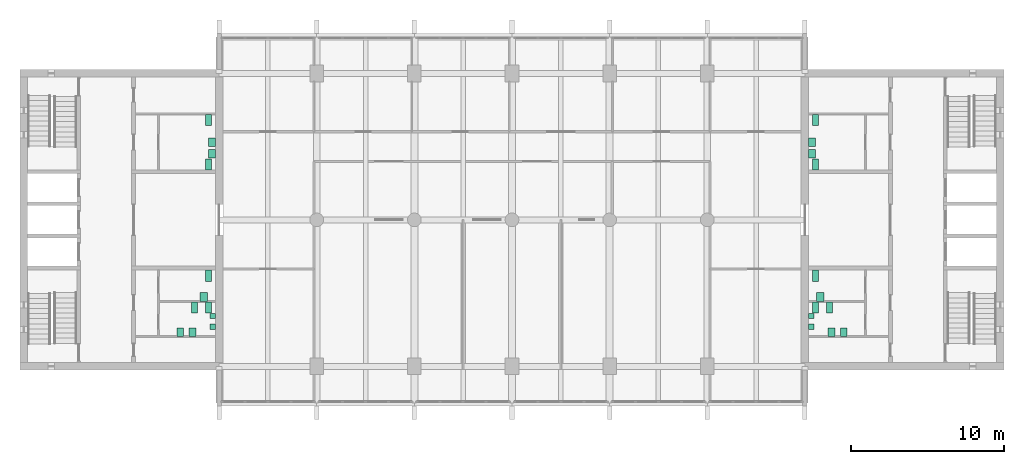
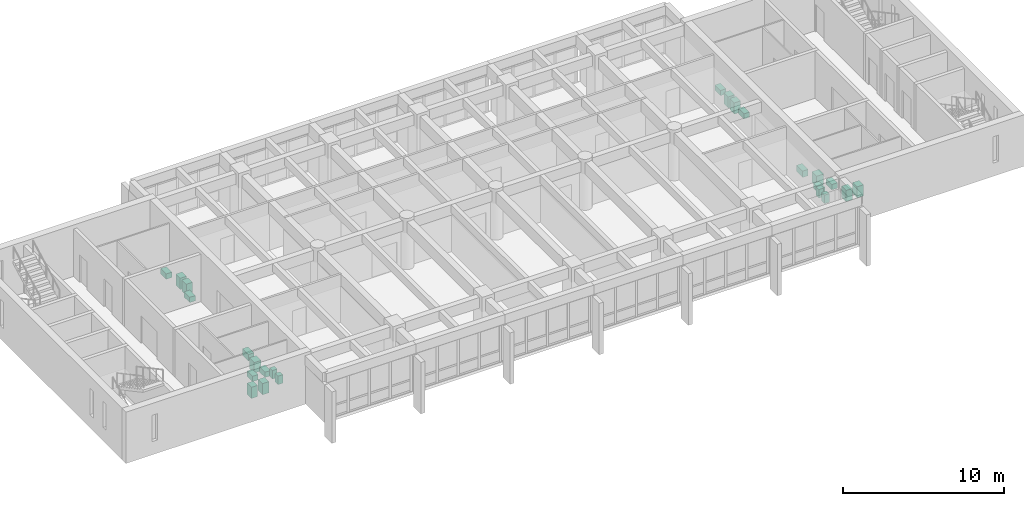
# One storey, part 15 of 15: 24 sanitary terminals.
"""IFC4 building model written with IfcOpenShell, lengths in metres."""

from ifc_helpers import new_model, si_unit, direction, frame, origin, origin_2d, place, context, subcontext, project, spatial, rectangle, extrude, material, type_object, element, save


model = new_model("IFC4")

# Units and contexts
model_context = context("Model", 3, precision=1e-05, world=origin(), true_north=direction((0.0, 1.0)))
body_context = subcontext(model_context, "Body", "Model", "MODEL_VIEW")
ifc_project = project(units=[si_unit("LENGTHUNIT", "METRE"), si_unit("AREAUNIT", "SQUARE_METRE"), si_unit("VOLUMEUNIT", "CUBIC_METRE"), si_unit("PLANEANGLEUNIT", "RADIAN"), si_unit("MASSUNIT", "GRAM", prefix="KILO")], contexts=[model_context])

# Site, building, storey
site_placement = place(None, origin())
site = spatial("IfcSite", under=ifc_project, at=site_placement, CompositionType="ELEMENT")
building_placement = place(site_placement, origin())
building = spatial("IfcBuilding", under=site, at=building_placement, Name="Fogon Plaza Fire Station and Headquarters Tower", CompositionType="ELEMENT")
storey_placement = place(building_placement, frame((0.0, 0.0, 44.39990234375)))
storey = spatial("IfcBuildingStorey", under=building, at=storey_placement, Name="L11", CompositionType="ELEMENT", Elevation=44.39990234375)

# Sanitary terminals
ifc_material_1 = material(Name="Vitreous china")
sanitary_terminal_type_1 = type_object("IfcSanitaryTerminalType", Name="Accessible Hand Basin 600x500", PredefinedType="WASHHANDBASIN", material=ifc_material_1)
for number, where, z_axis, x_axis, name in (
    (1, (24.60009765625, 38.14990234375, 0.0), (0.0, 0.0, 1.0), (1.0, 0.0, 0.0), "Accessible Hand Basin"),
    (2, (65.0, 38.14990234375, 0.0), (0.0, 0.0, 1.0), (1.0, 0.0, 0.0), "Accessible Hand Basin"),
):
    element("IfcSanitaryTerminal", number, at=place(storey_placement, frame(where, z_axis=z_axis, x_axis=x_axis)), inside=storey, type_object=sanitary_terminal_type_1, Name=name, PredefinedType="WASHHANDBASIN", context=body_context, shape_type="SweptSolid", body=[
        extrude(rectangle(XDim=0.5, YDim=0.60009765625, at=origin_2d()), origin(), (0.0, 0.0, 1.0), 0.800048828125),
    ])
ifc_material_2 = material(Name="Vitreous china")
sanitary_terminal_type_2 = type_object("IfcSanitaryTerminalType", Name="Accessible WC Pan 400x750", PredefinedType="TOILETPAN", material=ifc_material_2)
for number, where, z_axis, x_axis, name in (
    (3, (24.89990234375, 39.550048828125, 0.0), (0.0, 0.0, 1.0), (1.0, 0.0, 0.0), "Accessible WC Pan"),
    (4, (64.699951171875, 39.550048828125, 0.0), (0.0, 0.0, 1.0), (1.0, 0.0, 0.0), "Accessible WC Pan"),
):
    element("IfcSanitaryTerminal", number, at=place(storey_placement, frame(where, z_axis=z_axis, x_axis=x_axis)), inside=storey, type_object=sanitary_terminal_type_2, Name=name, PredefinedType="TOILETPAN", context=body_context, shape_type="SweptSolid", body=[
        extrude(rectangle(XDim=0.39990234375, YDim=0.75, at=origin_2d()), origin(), (0.0, 0.0, 1.0), 0.47998046875),
    ])
ifc_material_3 = material(Name="Vitreous china")
sanitary_terminal_type_3 = type_object("IfcSanitaryTerminalType", Name="Hand Basin 550x450", PredefinedType="WASHHANDBASIN", material=ifc_material_3)
for number, where, z_axis, x_axis, name in (
    (5, (23.85009765625, 35.824951171875, 0.0), (0.0, 0.0, 1.0), (1.0, 0.0, 0.0), "Hand Basin"),
    (6, (23.050048828125, 35.824951171875, 0.0), (0.0, 0.0, 1.0), (1.0, 0.0, 0.0), "Hand Basin"),
    (7, (25.125, 47.52490234375, 0.0), (0.0, 0.0, 1.0), (1.0, 0.0, 0.0), "Hand Basin"),
    (8, (25.125, 48.27490234375, 0.0), (0.0, 0.0, 1.0), (1.0, 0.0, 0.0), "Hand Basin"),
    (9, (65.75, 35.824951171875, 0.0), (0.0, 0.0, 1.0), (1.0, 0.0, 0.0), "Hand Basin"),
    (10, (66.550048828125, 35.824951171875, 0.0), (0.0, 0.0, 1.0), (1.0, 0.0, 0.0), "Hand Basin"),
    (11, (64.47509765625, 47.52490234375, 0.0), (0.0, 0.0, 1.0), (1.0, 0.0, 0.0), "Hand Basin"),
    (12, (64.47509765625, 48.27490234375, 0.0), (0.0, 0.0, 1.0), (1.0, 0.0, 0.0), "Hand Basin"),
):
    element("IfcSanitaryTerminal", number, at=place(storey_placement, frame(where, z_axis=z_axis, x_axis=x_axis)), inside=storey, type_object=sanitary_terminal_type_3, Name=name, PredefinedType="WASHHANDBASIN", context=body_context, shape_type="SweptSolid", body=[
        extrude(rectangle(XDim=0.449951171875, YDim=0.550048828125, at=origin_2d()), origin(), (0.0, 0.0, 1.0), 0.85009765625),
    ])
ifc_material_4 = material(Name="Vitreous china")
sanitary_terminal_type_4 = type_object("IfcSanitaryTerminalType", Name="Urinal 350x350", PredefinedType="URINAL", material=ifc_material_4)
for number, where, z_axis, x_axis, name in (
    (13, (25.175048828125, 36.199951171875, 0.000244140625), (0.0, 0.0, 1.0), (1.0, 0.0, 0.0), "Urinal"),
    (14, (25.175048828125, 36.89990234375, 0.000244140625), (0.0, 0.0, 1.0), (1.0, 0.0, 0.0), "Urinal"),
    (15, (64.425048828125, 36.199951171875, 0.000244140625), (0.0, 0.0, 1.0), (1.0, 0.0, 0.0), "Urinal"),
    (16, (64.425048828125, 36.89990234375, 0.000244140625), (0.0, 0.0, 1.0), (1.0, 0.0, 0.0), "Urinal"),
):
    element("IfcSanitaryTerminal", number, at=place(storey_placement, frame(where, z_axis=z_axis, x_axis=x_axis)), inside=storey, type_object=sanitary_terminal_type_4, Name=name, PredefinedType="URINAL", context=body_context, shape_type="SweptSolid", body=[
        extrude(rectangle(XDim=0.35009765625, YDim=0.35009765625, at=origin_2d()), origin(), (0.0, 0.0, 1.0), 0.64990234375),
    ])
ifc_material_5 = material(Name="Vitreous china")
sanitary_terminal_type_5 = type_object("IfcSanitaryTerminalType", Name="WC Pan 400x700", PredefinedType="TOILETPAN", material=ifc_material_5)
for number, where, z_axis, x_axis, name in (
    (17, (24.89990234375, 37.449951171875, 0.000244140625), (0.0, 0.0, 1.0), (1.0, 0.0, 0.0), "WC Pan"),
    (18, (24.0, 37.449951171875, 0.000244140625), (0.0, 0.0, 1.0), (1.0, 0.0, 0.0), "WC Pan"),
    (19, (24.89990234375, 49.75, 0.000244140625), (0.0, 0.0, 1.0), (1.0, 0.0, 0.0), "WC Pan"),
    (20, (24.89990234375, 46.824951171875, 0.000244140625), (0.0, 0.0, 1.0), (1.0, 0.0, 0.0), "WC Pan"),
    (21, (64.699951171875, 37.449951171875, 0.000244140625), (0.0, 0.0, 1.0), (1.0, 0.0, 0.0), "WC Pan"),
    (22, (65.60009765625, 37.449951171875, 0.000244140625), (0.0, 0.0, 1.0), (1.0, 0.0, 0.0), "WC Pan"),
    (23, (64.699951171875, 49.75, 0.000244140625), (0.0, 0.0, 1.0), (1.0, 0.0, 0.0), "WC Pan"),
    (24, (64.699951171875, 46.824951171875, 0.000244140625), (0.0, 0.0, 1.0), (1.0, 0.0, 0.0), "WC Pan"),
):
    element("IfcSanitaryTerminal", number, at=place(storey_placement, frame(where, z_axis=z_axis, x_axis=x_axis)), inside=storey, type_object=sanitary_terminal_type_5, Name=name, PredefinedType="TOILETPAN", context=body_context, shape_type="SweptSolid", body=[
        extrude(rectangle(XDim=0.39990234375, YDim=0.699951171875, at=origin_2d()), origin(), (0.0, 0.0, 1.0), 0.39990234375),
    ])

save(model, "model.ifc")
